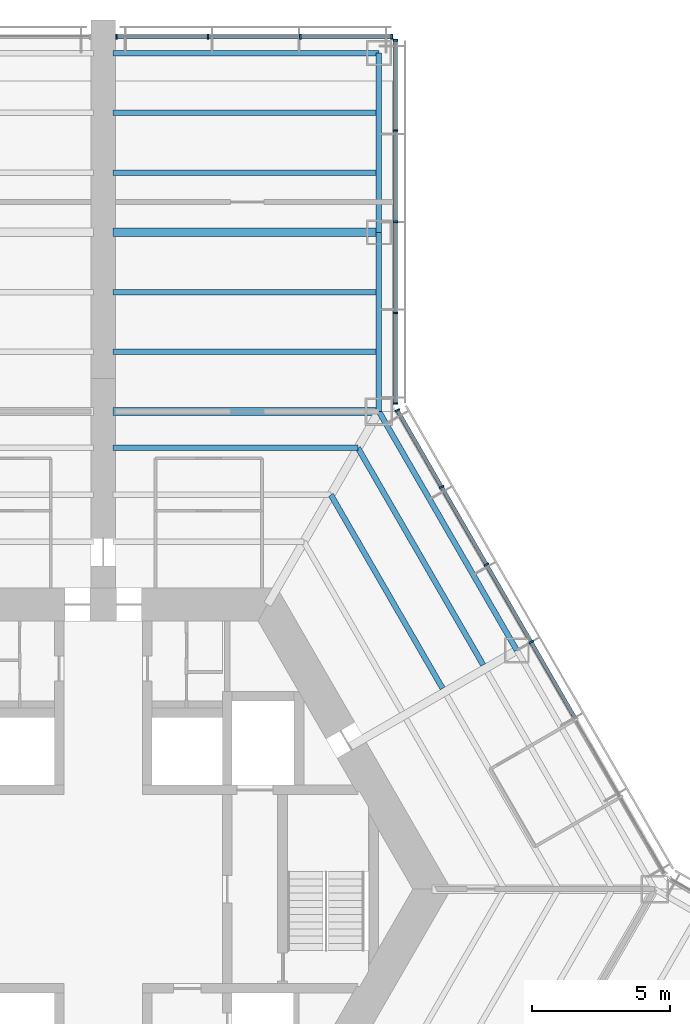
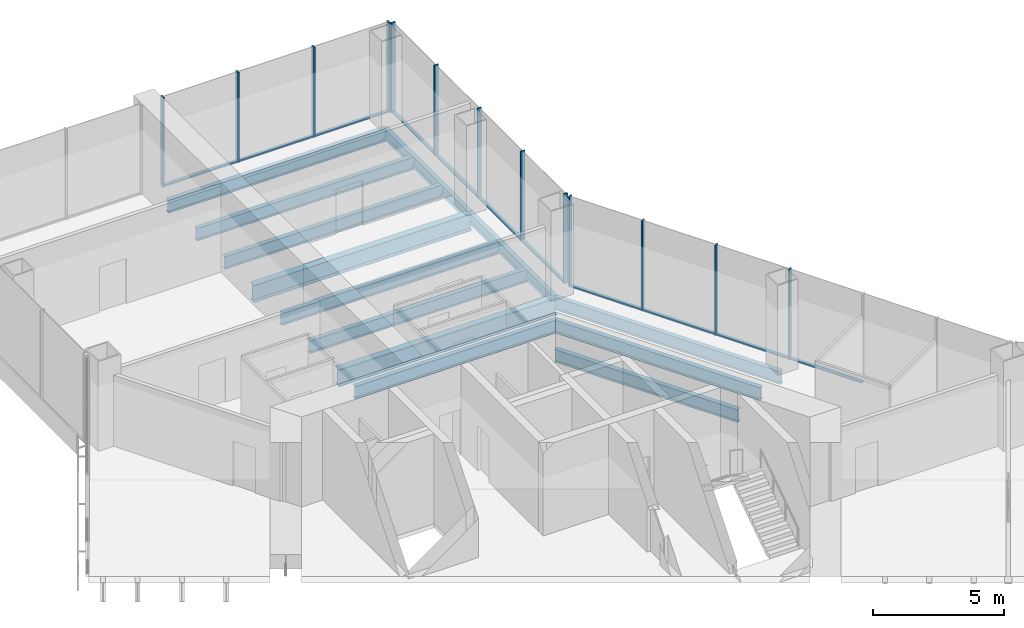
# One storey, part 7 of 16: 24 members, 13 beams, 3 elements without a shape of their own.
"""IFC4 building model written with IfcOpenShell, lengths in metres."""

import ifcopenshell
import ifcopenshell.guid

model = None  # the IFC model being written
_history = None  # IfcOwnerHistory: only IFC2X3 demands one
_inside = {}  # id of a spatial element -> (the spatial element, [elements in it])
_under = {}  # id of a project, library or spatial element -> (it, [spatial elements below it])
_declared = {}  # id of a project -> (the project, [libraries it declares])
_typed = {}  # id of a type object -> (the type object, [elements of that type])
_made_of = {}  # id of a material, layer set ... -> (it, [elements and type objects made of it])


def new_model(schema):
    """Start an empty IFC model of exactly this schema.

    Asked for "IFC4X3", IfcOpenShell would pick the latest addendum, in which some entities
    have other attributes; the version numbers below select the first issue.
    IFC2X3 requires an IfcOwnerHistory on every rooted entity: one is made here for all.
    """
    global model, _history
    if schema == "IFC4X3":
        model = ifcopenshell.file(schema_version=(4, 3, 0, 0))
    else:
        model = ifcopenshell.file(schema=schema)
    _inside.clear()
    _under.clear()
    _declared.clear()
    _typed.clear()
    _made_of.clear()
    _history = None
    if model.schema == "IFC2X3":
        org = make("IfcOrganization", Name="unknown")
        user = make(
            "IfcPersonAndOrganization",
            ThePerson=make("IfcPerson", FamilyName="unknown"),
            TheOrganization=org,
        )
        app = make(
            "IfcApplication",
            ApplicationDeveloper=org,
            Version="unknown",
            ApplicationFullName="unknown",
            ApplicationIdentifier="unknown",
        )
        _history = make(
            "IfcOwnerHistory",
            OwningUser=user,
            OwningApplication=app,
            ChangeAction="ADDED",
            CreationDate=0,
        )
    return model


def make(cls, **values):
    """One entity of the class cls with the attributes given. An attribute that is None is left unset."""
    return model.create_entity(
        cls, **{name: value for name, value in values.items() if value is not None}
    )


def rooted(cls, **values):
    """An entity with a GlobalId (a new one), such as an element, a storey or a relation."""
    return make(cls, GlobalId=ifcopenshell.guid.new(), OwnerHistory=_history, **values)


def si_unit(unit_type, name, prefix=None):
    """IfcSIUnit, for example si_unit("LENGTHUNIT", "METRE", prefix="MILLI")."""
    return make("IfcSIUnit", UnitType=unit_type, Prefix=prefix, Name=name)


def assignment(units):
    """IfcUnitAssignment: the units of a project."""
    return None if units is None else make("IfcUnitAssignment", Units=units)


def point(xyz):
    """IfcCartesianPoint."""
    return None if xyz is None else make("IfcCartesianPoint", Coordinates=xyz)


def direction(xyz):
    """IfcDirection."""
    return None if xyz is None else make("IfcDirection", DirectionRatios=xyz)


def frame(location, z_axis=None, x_axis=None):
    """IfcAxis2Placement3D, a coordinate frame: its origin and axes. An axis left out is left unset."""
    return make(
        "IfcAxis2Placement3D",
        Location=point(location),
        Axis=direction(z_axis),
        RefDirection=direction(x_axis),
    )


def frame_2d(location, x_axis=None):
    """IfcAxis2Placement2D, a coordinate frame in the plane: its origin and x axis."""
    return make(
        "IfcAxis2Placement2D", Location=point(location), RefDirection=direction(x_axis)
    )


def origin():
    """The frame at (0, 0, 0) with its axes left unset."""
    return frame((0.0, 0.0, 0.0))


def origin_2d():
    """The frame at (0, 0) in the plane with its x axis left unset."""
    return frame_2d((0.0, 0.0))


def place(relative_to, where):
    """IfcLocalPlacement: puts the frame where relative to a parent placement (None: the world)."""
    return make(
        "IfcLocalPlacement", PlacementRelTo=relative_to, RelativePlacement=where
    )


def context(
    kind, dimensions, precision=None, world=None, true_north=None, identifier=None
):
    """IfcGeometricRepresentationContext, for example the 3D "Model" context."""
    return make(
        "IfcGeometricRepresentationContext",
        ContextIdentifier=identifier,
        ContextType=kind,
        CoordinateSpaceDimension=dimensions,
        Precision=precision,
        WorldCoordinateSystem=world,
        TrueNorth=true_north,
    )


def subcontext(parent, identifier, kind, view, scale=None):
    """IfcGeometricRepresentationSubContext, for example "Body" below "Model"."""
    return make(
        "IfcGeometricRepresentationSubContext",
        ContextIdentifier=identifier,
        ContextType=kind,
        ParentContext=parent,
        TargetScale=scale,
        TargetView=view,
    )


def project(units=None, contexts=None):
    """IfcProject with its units and contexts."""
    return rooted(
        "IfcProject",
        Name="project",
        RepresentationContexts=contexts,
        UnitsInContext=assignment(units),
    )


def spatial(cls, under=None, at=None, **own):
    """A site, building, storey or space (cls), placed at a placement, below another one or the project."""
    s = rooted(cls, ObjectPlacement=at, **own)
    if under is not None:
        _under.setdefault(under.id(), (under, []))[1].append(s)
    return s


def profile(cls, at=None, kind="AREA", **sizes):
    """A parametric profile (cls). Its sizes go by their IFC names, for example OverallWidth=200.0."""
    return make(cls, ProfileType=kind, Position=at, **sizes)


def rectangle(**sizes):
    """IfcRectangleProfileDef."""
    return profile("IfcRectangleProfileDef", **sizes)


def i_section(**sizes):
    """IfcIShapeProfileDef."""
    return profile("IfcIShapeProfileDef", **sizes)


def extrude(swept, where, along, depth):
    """IfcExtrudedAreaSolid: the profile swept, set in the frame where, extruded along a direction by depth."""
    return make(
        "IfcExtrudedAreaSolid",
        SweptArea=swept,
        Position=where,
        ExtrudedDirection=direction(along),
        Depth=depth,
    )


def shape(context_of_items, identifier, shape_type, items):
    """IfcShapeRepresentation: the items that make up one representation, for example the "Body"."""
    return make(
        "IfcShapeRepresentation",
        ContextOfItems=context_of_items,
        RepresentationIdentifier=identifier,
        RepresentationType=shape_type,
        Items=items,
    )


def material(Name=None, Category=None):
    """IfcMaterial."""
    return make("IfcMaterial", Name=Name, Category=Category)


def material_profile(
    of_material, cross_section, Name=None, Category=None, Priority=None
):
    """IfcMaterialProfile: a cross section and its material."""
    return make(
        "IfcMaterialProfile",
        Name=Name,
        Material=of_material,
        Profile=cross_section,
        Priority=Priority,
        Category=Category,
    )


def profile_set(profiles, Name=None, composite=None):
    """IfcMaterialProfileSet."""
    return make(
        "IfcMaterialProfileSet",
        Name=Name,
        MaterialProfiles=profiles,
        CompositeProfile=composite,
    )


def made_of(thing, what):
    """Note that an element or type object is made of a material, layer set ...; save() writes the relation."""
    if what is not None:
        _made_of.setdefault(what.id(), (what, []))[1].append(thing)
    return thing


def type_object(cls, material=None, **own):
    """A type object (cls), such as IfcWallType, which elements share."""
    return made_of(rooted(cls, **own), material)


def element(
    cls,
    number,
    at=None,
    inside=None,
    cuts=None,
    type_object=None,
    material=None,
    context=None,
    identifier="Body",
    shape_type=None,
    held_by="IfcProductDefinitionShape",
    body=None,
    shapes=None,
    **own,
):
    """One element of the class cls, such as IfcWall. Its Tag is "e" and its number.

    at: its placement. inside: the storey or other place that contains it. cuts: it is an
    opening in that element (IfcRelVoidsElement). A single representation is given by context,
    identifier, shape_type and body (its items); several are given by shapes. held_by: the class
    of the entity that holds the representations. save() writes the other relations.
    """
    e = rooted(cls, Tag="e%d" % number, ObjectPlacement=at, **own)
    if body is not None:
        shapes = [shape(context, identifier, shape_type, body)]
    if shapes is not None:
        e.Representation = make(held_by, Representations=shapes)
    if inside is not None:
        _inside.setdefault(inside.id(), (inside, []))[1].append(e)
    if cuts is not None:
        rooted(
            "IfcRelVoidsElement", RelatingBuildingElement=cuts, RelatedOpeningElement=e
        )
    if type_object is not None:
        _typed.setdefault(type_object.id(), (type_object, []))[1].append(e)
    return made_of(e, material)


def aggregate(whole, parts):
    """IfcRelAggregates: a whole, such as a stair, and the parts it consists of."""
    return rooted("IfcRelAggregates", RelatingObject=whole, RelatedObjects=parts)


def save(model, path):
    """Write the relations noted so far, then the file.

    IfcRelAggregates (storeys below a building ...), IfcRelContainedInSpatialStructure (elements
    in a storey), IfcRelDefinesByType, IfcRelAssociatesMaterial and IfcRelDeclares: one each for
    every whole, place, type object, material and project.
    """
    for whole, parts in _under.values():
        aggregate(whole, parts)
    for where, things in _inside.values():
        rooted(
            "IfcRelContainedInSpatialStructure",
            RelatedElements=things,
            RelatingStructure=where,
        )
    for kind, things in _typed.values():
        rooted("IfcRelDefinesByType", RelatedObjects=things, RelatingType=kind)
    for what, things in _made_of.values():
        rooted("IfcRelAssociatesMaterial", RelatedObjects=things, RelatingMaterial=what)
    for by, libraries in _declared.values():
        rooted("IfcRelDeclares", RelatingContext=by, RelatedDefinitions=libraries)
    model.write(path)


model = new_model("IFC4")

# Units and contexts
model_context = context("Model", 3, precision=1e-05, world=origin(), true_north=direction((0.0, 1.0)))
body_context = subcontext(model_context, "Body", "Model", "MODEL_VIEW")
ifc_project = project(units=[si_unit("LENGTHUNIT", "METRE"), si_unit("AREAUNIT", "SQUARE_METRE"), si_unit("VOLUMEUNIT", "CUBIC_METRE"), si_unit("PLANEANGLEUNIT", "RADIAN"), si_unit("MASSUNIT", "GRAM", prefix="KILO")], contexts=[model_context])

# Site, building, storey
site_placement = place(None, origin())
site = spatial("IfcSite", under=ifc_project, at=site_placement, CompositionType="ELEMENT")
building_placement = place(site_placement, origin())
building = spatial("IfcBuilding", under=site, at=building_placement, Name="Kasaneha Research Tower", CompositionType="ELEMENT")
storey_placement = place(building_placement, frame((0.0, 0.0, 26.800048828125)))
storey = spatial("IfcBuildingStorey", under=building, at=storey_placement, Name="L07", CompositionType="ELEMENT", Elevation=26.800048828125)

# Beams
ifc_material_1 = material(Name="Steel SN490B", Category="steel")
ifc_material_profile_1 = material_profile(ifc_material_1, i_section(OverallWidth=0.199951171875, OverallDepth=0.60009765625, WebThickness=0.010986328125, FlangeThickness=0.01708984375, FilletRadius=0.012939453125, at=origin_2d()), Name="H-600x200x11x17")
ifc_profile_set_1 = profile_set([ifc_material_profile_1], Name="Steel SN490B")
beam_type_1 = type_object("IfcBeamType", Name="B1-1 secondary beam H-600x200x11x17", PredefinedType="JOIST", material=ifc_profile_set_1)
beam_1_placement = place(storey_placement, frame((8.256103515625, 14.300048828125, -0.5), z_axis=(0.499984030215, -0.866034623748, 0.0), x_axis=(0.866034623748, 0.499984030215, 0.0)))
element("IfcBeam", 1, at=beam_1_placement, inside=storey, type_object=beam_type_1, Name="Secondary beam RS030R2 L07", PredefinedType="JOIST", context=body_context, shape_type="SweptSolid", body=[
    extrude(i_section(OverallWidth=0.199951171875, OverallDepth=0.60009765625, WebThickness=0.010986328125, FlangeThickness=0.01708984375, FilletRadius=0.012939453125, at=origin_2d()), origin(), (0.0, 0.0, 1.0), 8.106201171875),
])
beam_2_placement = place(storey_placement, frame((9.237548828125, 16.0, -0.5), z_axis=(0.500010814234, -0.866019160093, 0.0), x_axis=(0.866019160093, 0.500010814234, 0.0)))
element("IfcBeam", 2, at=beam_2_placement, inside=storey, type_object=beam_type_1, Name="Secondary beam RS030R3 L07", PredefinedType="JOIST", context=body_context, shape_type="SweptSolid", body=[
    extrude(i_section(OverallWidth=0.199951171875, OverallDepth=0.60009765625, WebThickness=0.010986328125, FlangeThickness=0.01708984375, FilletRadius=0.012939453125, at=origin_2d()), origin(), (0.0, 0.0, 1.0), 9.087646484375),
])
beam_3_placement = place(storey_placement, frame((9.237548828125, 16.0, -0.5), z_axis=(-1.0, 0.0, 0.0), x_axis=(0.0, -1.0, 0.0)))
element("IfcBeam", 3, at=beam_3_placement, inside=storey, type_object=beam_type_1, Name="Secondary beam RS090L3 L07", PredefinedType="JOIST", context=body_context, shape_type="SweptSolid", body=[
    extrude(i_section(OverallWidth=0.199951171875, OverallDepth=0.60009765625, WebThickness=0.010986328125, FlangeThickness=0.01708984375, FilletRadius=0.012939453125, at=origin_2d()), origin(), (0.0, 0.0, 1.0), 8.887451171875),
])
ifc_material_2 = material(Name="Steel SN490B", Category="steel")
ifc_material_profile_2 = material_profile(ifc_material_2, i_section(OverallWidth=0.198974609375, OverallDepth=0.595947265625, WebThickness=0.010009765625, FlangeThickness=0.014892578125, FilletRadius=0.012939453125, at=origin_2d()), Name="H-596x199x10x15")
ifc_profile_set_2 = profile_set([ifc_material_profile_2], Name="Steel SN490B")
beam_type_2 = type_object("IfcBeamType", Name="B2-1 secondary beam H-596x199x10x15", PredefinedType="JOIST", material=ifc_profile_set_2)
for number, where, z_axis, x_axis, name in (
    (4, (10.0, 19.487060546875, -0.498046875), (-1.0, 0.0, 0.0), (0.0, -1.0, 0.0), "Secondary beam WBAP1 L07"),
    (5, (10.0, 21.65380859375, -0.498046875), (-1.0, 0.0, 0.0), (0.0, -1.0, 0.0), "Secondary beam WBAP2 L07"),
    (6, (10.0, 25.987060546875, -0.498046875), (-1.0, 0.0, 0.0), (0.0, -1.0, 0.0), "Secondary beam WBAP3 L07"),
    (7, (10.0, 28.15380859375, -0.498046875), (-1.0, 0.0, 0.0), (0.0, -1.0, 0.0), "Secondary beam WBAP4 L07"),
):
    element("IfcBeam", number, at=place(storey_placement, frame(where, z_axis=z_axis, x_axis=x_axis)), inside=storey, type_object=beam_type_2, Name=name, PredefinedType="JOIST", context=body_context, shape_type="SweptSolid", body=[
        extrude(i_section(OverallWidth=0.198974609375, OverallDepth=0.595947265625, WebThickness=0.010009765625, FlangeThickness=0.014892578125, FilletRadius=0.012939453125, at=origin_2d()), origin(), (0.0, 0.0, 1.0), 9.64990234375),
    ])

# Curtain wall, members
ifc_material_3 = material(Name="Glass and aluminium", Category="aluminium")
curtain_wall_type = type_object("IfcCurtainWallType", Name="Wet laboratory curtain wall", PredefinedType="USERDEFINED", material=ifc_material_3)
curtain_wall_1_placement = place(storey_placement, origin())
curtain_wall_1 = element("IfcCurtainWall", 8, at=curtain_wall_1_placement, inside=storey, type_object=curtain_wall_type, Name="CW-L1 L07 run 07a", ObjectType="UNITISED CURTAIN WALL", PredefinedType="USERDEFINED")
ifc_material_4 = material(Name="Aluminium 6063-T6", Category="aluminium")
ifc_material_profile_3 = material_profile(ifc_material_4, rectangle(XDim=0.06494140625, YDim=0.179931640625, at=origin_2d()), Name="CW-L1 mullion 65x180")
ifc_profile_set_3 = profile_set([ifc_material_profile_3], Name="Aluminium 6063-T6")
member_type_1 = type_object("IfcMemberType", Name="CW-L1 mullion", PredefinedType="MULLION", material=ifc_profile_set_3)
member_1_placement = place(storey_placement, frame((15.51953125, 8.960205078125, 0.0), z_axis=(0.0, 0.0, 1.0), x_axis=(-0.49999996188, 0.866025425793, 0.0)))
member_1 = element("IfcMember", 9, at=member_1_placement, type_object=member_type_1, Name="CW-L1 mullion 4", PredefinedType="MULLION", context=body_context, shape_type="SweptSolid", body=[
    extrude(rectangle(XDim=0.06494140625, YDim=0.179931640625, at=origin_2d()), origin(), (0.0, 0.0, 1.0), 4.199951171875),
])
member_2_placement = place(storey_placement, frame((13.896484375, 11.771728515625, 0.0), z_axis=(0.0, 0.0, 1.0), x_axis=(-0.49999996188, 0.866025425793, 0.0)))
member_2 = element("IfcMember", 10, at=member_2_placement, type_object=member_type_1, Name="CW-L1 mullion 5", PredefinedType="MULLION", context=body_context, shape_type="SweptSolid", body=[
    extrude(rectangle(XDim=0.06494140625, YDim=0.179931640625, at=origin_2d()), origin(), (0.0, 0.0, 1.0), 4.199951171875),
])
member_3_placement = place(storey_placement, frame((12.273193359375, 14.583251953125, 0.0), z_axis=(0.0, 0.0, 1.0), x_axis=(-0.49999996188, 0.866025425793, 0.0)))
member_3 = element("IfcMember", 11, at=member_3_placement, type_object=member_type_1, Name="CW-L1 mullion 6", PredefinedType="MULLION", context=body_context, shape_type="SweptSolid", body=[
    extrude(rectangle(XDim=0.06494140625, YDim=0.179931640625, at=origin_2d()), origin(), (0.0, 0.0, 1.0), 4.199951171875),
])
member_4_placement = place(storey_placement, frame((10.666259765625, 17.366455078125, 0.0), z_axis=(0.0, 0.0, 1.0), x_axis=(-0.49999996188, 0.866025425793, 0.0)))
member_4 = element("IfcMember", 12, at=member_4_placement, type_object=member_type_1, Name="CW-L1 mullion 7", PredefinedType="MULLION", context=body_context, shape_type="SweptSolid", body=[
    extrude(rectangle(XDim=0.06494140625, YDim=0.179931640625, at=origin_2d()), origin(), (0.0, 0.0, 1.0), 4.199951171875),
])

curtain_wall_2_placement = place(storey_placement, origin())
curtain_wall_2 = element("IfcCurtainWall", 13, at=curtain_wall_2_placement, inside=storey, type_object=curtain_wall_type, Name="CW-L1 L07 run 08a", ObjectType="UNITISED CURTAIN WALL", PredefinedType="USERDEFINED")
member_5_placement = place(storey_placement, frame((10.60009765625, 17.61376953125, 0.0), z_axis=(0.0, 0.0, 1.0), x_axis=(0.0, 1.0, 0.0)))
member_5 = element("IfcMember", 14, at=member_5_placement, type_object=member_type_1, Name="CW-L1 mullion 1", PredefinedType="MULLION", context=body_context, shape_type="SweptSolid", body=[
    extrude(rectangle(XDim=0.06494140625, YDim=0.179931640625, at=origin_2d()), origin(), (0.0, 0.0, 1.0), 4.199951171875),
])
member_6_placement = place(storey_placement, frame((10.60009765625, 20.89111328125, 0.0), z_axis=(0.0, 0.0, 1.0), x_axis=(0.0, 1.0, 0.0)))
member_6 = element("IfcMember", 15, at=member_6_placement, type_object=member_type_1, Name="CW-L1 mullion 2", PredefinedType="MULLION", context=body_context, shape_type="SweptSolid", body=[
    extrude(rectangle(XDim=0.06494140625, YDim=0.179931640625, at=origin_2d()), origin(), (0.0, 0.0, 1.0), 4.199951171875),
])
member_7_placement = place(storey_placement, frame((10.60009765625, 24.200927734375, 0.0), z_axis=(0.0, 0.0, 1.0), x_axis=(0.0, 1.0, 0.0)))
member_7 = element("IfcMember", 16, at=member_7_placement, type_object=member_type_1, Name="CW-L1 mullion 3", PredefinedType="MULLION", context=body_context, shape_type="SweptSolid", body=[
    extrude(rectangle(XDim=0.06494140625, YDim=0.179931640625, at=origin_2d()), origin(), (0.0, 0.0, 1.0), 4.199951171875),
])
member_8_placement = place(storey_placement, frame((10.60009765625, 27.5107421875, 0.0), z_axis=(0.0, 0.0, 1.0), x_axis=(0.0, 1.0, 0.0)))
member_8 = element("IfcMember", 17, at=member_8_placement, type_object=member_type_1, Name="CW-L1 mullion 4", PredefinedType="MULLION", context=body_context, shape_type="SweptSolid", body=[
    extrude(rectangle(XDim=0.06494140625, YDim=0.179931640625, at=origin_2d()), origin(), (0.0, 0.0, 1.0), 4.199951171875),
])
member_9_placement = place(storey_placement, frame((10.60009765625, 30.7880859375, 0.0), z_axis=(0.0, 0.0, 1.0), x_axis=(0.0, 1.0, 0.0)))
member_9 = element("IfcMember", 18, at=member_9_placement, type_object=member_type_1, Name="CW-L1 mullion 5", PredefinedType="MULLION", context=body_context, shape_type="SweptSolid", body=[
    extrude(rectangle(XDim=0.06494140625, YDim=0.179931640625, at=origin_2d()), origin(), (0.0, 0.0, 1.0), 4.199951171875),
])

curtain_wall_3_placement = place(storey_placement, origin())
curtain_wall_3 = element("IfcCurtainWall", 19, at=curtain_wall_3_placement, inside=storey, type_object=curtain_wall_type, Name="CW-L1 L07 run 09a", ObjectType="UNITISED CURTAIN WALL", PredefinedType="USERDEFINED")
member_10_placement = place(storey_placement, frame((10.467529296875, 30.92041015625, 0.0), z_axis=(0.0, 0.0, 1.0), x_axis=(-1.0, 0.0, 0.0)))
member_10 = element("IfcMember", 20, at=member_10_placement, type_object=member_type_1, Name="CW-L1 mullion 1", PredefinedType="MULLION", context=body_context, shape_type="SweptSolid", body=[
    extrude(rectangle(XDim=0.06494140625, YDim=0.179931640625, at=origin_2d()), origin(), (0.0, 0.0, 1.0), 4.199951171875),
])
member_11_placement = place(storey_placement, frame((7.14990234375, 30.92041015625, 0.0), z_axis=(0.0, 0.0, 1.0), x_axis=(-1.0, 0.0, 0.0)))
member_11 = element("IfcMember", 21, at=member_11_placement, type_object=member_type_1, Name="CW-L1 mullion 2", PredefinedType="MULLION", context=body_context, shape_type="SweptSolid", body=[
    extrude(rectangle(XDim=0.06494140625, YDim=0.179931640625, at=origin_2d()), origin(), (0.0, 0.0, 1.0), 4.199951171875),
])
member_12_placement = place(storey_placement, frame((3.800048828125, 30.92041015625, 0.0), z_axis=(0.0, 0.0, 1.0), x_axis=(-1.0, 0.0, 0.0)))
member_12 = element("IfcMember", 22, at=member_12_placement, type_object=member_type_1, Name="CW-L1 mullion 3", PredefinedType="MULLION", context=body_context, shape_type="SweptSolid", body=[
    extrude(rectangle(XDim=0.06494140625, YDim=0.179931640625, at=origin_2d()), origin(), (0.0, 0.0, 1.0), 4.199951171875),
])
member_13_placement = place(storey_placement, frame((0.482421875, 30.92041015625, 0.0), z_axis=(0.0, 0.0, 1.0), x_axis=(-1.0, 0.0, 0.0)))
member_13 = element("IfcMember", 23, at=member_13_placement, type_object=member_type_1, Name="CW-L1 mullion 4", PredefinedType="MULLION", context=body_context, shape_type="SweptSolid", body=[
    extrude(rectangle(XDim=0.06494140625, YDim=0.179931640625, at=origin_2d()), origin(), (0.0, 0.0, 1.0), 4.199951171875),
])

# Member
ifc_material_5 = material(Name="Aluminium 6063-T6", Category="aluminium")
ifc_material_profile_4 = material_profile(ifc_material_5, rectangle(XDim=0.139892578125, YDim=0.06494140625, at=origin_2d()), Name="CW-L1 transom 140x65")
ifc_profile_set_4 = profile_set([ifc_material_profile_4], Name="Aluminium 6063-T6")
member_type_2 = type_object("IfcMemberType", Name="CW-L1 transom", PredefinedType="USERDEFINED", material=ifc_profile_set_4)
member_14_placement = place(storey_placement, frame((17.12646484375, 6.177001953125, 0.032470703125), z_axis=(-0.499977104415, 0.866038622153, 0.0), x_axis=(-0.866038622153, -0.499977104415, 0.0)))
member_14 = element("IfcMember", 24, at=member_14_placement, type_object=member_type_2, Name="CW-L1 transom 3", ObjectType="TRANSOM", PredefinedType="USERDEFINED", context=body_context, shape_type="SweptSolid", body=[
    extrude(rectangle(XDim=0.139892578125, YDim=0.06494140625, at=origin_2d()), origin(), (0.0, 0.0, 1.0), 3.181396484375),
])

member_15_placement = place(storey_placement, frame((15.50341796875, 8.98828125, 0.032470703125), z_axis=(-0.500001430823, 0.866024577697, 0.0), x_axis=(-0.866024577697, -0.500001430823, 0.0)))
member_15 = element("IfcMember", 25, at=member_15_placement, type_object=member_type_2, Name="CW-L1 transom 4", ObjectType="TRANSOM", PredefinedType="USERDEFINED", context=body_context, shape_type="SweptSolid", body=[
    extrude(rectangle(XDim=0.139892578125, YDim=0.06494140625, at=origin_2d()), origin(), (0.0, 0.0, 1.0), 3.181640625),
])

member_16_placement = place(storey_placement, frame((13.880126953125, 11.7998046875, 0.032470703125), z_axis=(-0.499943876812, 0.866057804098, 0.0), x_axis=(-0.866057804098, -0.499943876812, 0.0)))
member_16 = element("IfcMember", 26, at=member_16_placement, type_object=member_type_2, Name="CW-L1 transom 5", ObjectType="TRANSOM", PredefinedType="USERDEFINED", context=body_context, shape_type="SweptSolid", body=[
    extrude(rectangle(XDim=0.139892578125, YDim=0.06494140625, at=origin_2d()), origin(), (0.0, 0.0, 1.0), 3.181396484375),
])

member_17_placement = place(storey_placement, frame((12.2568359375, 14.611328125, 0.032470703125), z_axis=(-0.499941702305, 0.866059059358, 0.0), x_axis=(-0.866059059358, -0.499941702305, 0.0)))
member_17 = element("IfcMember", 27, at=member_17_placement, type_object=member_type_2, Name="CW-L1 transom 6", ObjectType="TRANSOM", PredefinedType="USERDEFINED", context=body_context, shape_type="SweptSolid", body=[
    extrude(rectangle(XDim=0.139892578125, YDim=0.06494140625, at=origin_2d()), origin(), (0.0, 0.0, 1.0), 3.14892578125),
])

aggregate(curtain_wall_1, [member_1, member_2, member_3, member_4, member_14, member_15, member_16, member_17])

member_18_placement = place(storey_placement, frame((10.60009765625, 17.646240234375, 0.032470703125), z_axis=(0.0, 1.0, 0.0), x_axis=(-1.0, 0.0, 0.0)))
member_18 = element("IfcMember", 28, at=member_18_placement, type_object=member_type_2, Name="CW-L1 transom 1", ObjectType="TRANSOM", PredefinedType="USERDEFINED", context=body_context, shape_type="SweptSolid", body=[
    extrude(rectangle(XDim=0.139892578125, YDim=0.06494140625, at=origin_2d()), origin(), (0.0, 0.0, 1.0), 3.21240234375),
])

member_19_placement = place(storey_placement, frame((10.60009765625, 20.923583984375, 0.032470703125), z_axis=(0.0, 1.0, 0.0), x_axis=(-1.0, 0.0, 0.0)))
member_19 = element("IfcMember", 29, at=member_19_placement, type_object=member_type_2, Name="CW-L1 transom 2", ObjectType="TRANSOM", PredefinedType="USERDEFINED", context=body_context, shape_type="SweptSolid", body=[
    extrude(rectangle(XDim=0.139892578125, YDim=0.06494140625, at=origin_2d()), origin(), (0.0, 0.0, 1.0), 3.244873046875),
])

member_20_placement = place(storey_placement, frame((10.60009765625, 24.2333984375, 0.032470703125), z_axis=(0.0, 1.0, 0.0), x_axis=(-1.0, 0.0, 0.0)))
member_20 = element("IfcMember", 30, at=member_20_placement, type_object=member_type_2, Name="CW-L1 transom 3", ObjectType="TRANSOM", PredefinedType="USERDEFINED", context=body_context, shape_type="SweptSolid", body=[
    extrude(rectangle(XDim=0.139892578125, YDim=0.06494140625, at=origin_2d()), origin(), (0.0, 0.0, 1.0), 3.244873046875),
])

member_21_placement = place(storey_placement, frame((10.60009765625, 27.543212890625, 0.032470703125), z_axis=(0.0, 1.0, 0.0), x_axis=(-1.0, 0.0, 0.0)))
member_21 = element("IfcMember", 31, at=member_21_placement, type_object=member_type_2, Name="CW-L1 transom 4", ObjectType="TRANSOM", PredefinedType="USERDEFINED", context=body_context, shape_type="SweptSolid", body=[
    extrude(rectangle(XDim=0.139892578125, YDim=0.06494140625, at=origin_2d()), origin(), (0.0, 0.0, 1.0), 3.21240234375),
])

aggregate(curtain_wall_2, [member_5, member_6, member_7, member_8, member_9, member_18, member_19, member_20, member_21])

member_22_placement = place(storey_placement, frame((10.43505859375, 30.92041015625, 0.032470703125), z_axis=(-1.0, 0.0, 0.0), x_axis=(0.0, -1.0, 0.0)))
member_22 = element("IfcMember", 32, at=member_22_placement, type_object=member_type_2, Name="CW-L1 transom 1", ObjectType="TRANSOM", PredefinedType="USERDEFINED", context=body_context, shape_type="SweptSolid", body=[
    extrude(rectangle(XDim=0.139892578125, YDim=0.06494140625, at=origin_2d()), origin(), (0.0, 0.0, 1.0), 3.25244140625),
])

member_23_placement = place(storey_placement, frame((7.117431640625, 30.92041015625, 0.032470703125), z_axis=(-1.0, 0.0, 0.0), x_axis=(0.0, -1.0, 0.0)))
member_23 = element("IfcMember", 33, at=member_23_placement, type_object=member_type_2, Name="CW-L1 transom 2", ObjectType="TRANSOM", PredefinedType="USERDEFINED", context=body_context, shape_type="SweptSolid", body=[
    extrude(rectangle(XDim=0.139892578125, YDim=0.06494140625, at=origin_2d()), origin(), (0.0, 0.0, 1.0), 3.284912109375),
])

member_24_placement = place(storey_placement, frame((3.767578125, 30.92041015625, 0.032470703125), z_axis=(-1.0, 0.0, 0.0), x_axis=(0.0, -1.0, 0.0)))
member_24 = element("IfcMember", 34, at=member_24_placement, type_object=member_type_2, Name="CW-L1 transom 3", ObjectType="TRANSOM", PredefinedType="USERDEFINED", context=body_context, shape_type="SweptSolid", body=[
    extrude(rectangle(XDim=0.139892578125, YDim=0.06494140625, at=origin_2d()), origin(), (0.0, 0.0, 1.0), 3.252685546875),
])

aggregate(curtain_wall_3, [member_10, member_11, member_12, member_13, member_22, member_23, member_24])

# Beams
ifc_material_6 = material(Name="Steel SN490B", Category="steel")
ifc_material_profile_5 = material_profile(ifc_material_6, i_section(OverallWidth=0.300048828125, OverallDepth=0.7919921875, WebThickness=0.013916015625, FlangeThickness=0.02197265625, FilletRadius=0.01806640625, at=origin_2d()), Name="H-792x300x14x22")
ifc_profile_set_5 = profile_set([ifc_material_profile_5], Name="Steel SN490B")
beam_type_3 = type_object("IfcBeamType", Name="G3-1 plate edge girder H-792x300x14x22", PredefinedType="BEAM", material=ifc_profile_set_5)
beam_4_placement = place(storey_placement, frame((10.0, 17.320556640625, -0.595947265625), z_axis=(-1.0, 0.0, 0.0), x_axis=(0.0, -1.0, 0.0)))
element("IfcBeam", 35, at=beam_4_placement, inside=storey, type_object=beam_type_3, Name="Plate edge girder PEAP L07", PredefinedType="BEAM", context=body_context, shape_type="SweptSolid", body=[
    extrude(i_section(OverallWidth=0.300048828125, OverallDepth=0.7919921875, WebThickness=0.013916015625, FlangeThickness=0.02197265625, FilletRadius=0.01806640625, at=origin_2d()), origin(), (0.0, 0.0, 1.0), 9.64990234375),
])
ifc_material_7 = material(Name="Steel SN490B", Category="steel")
ifc_material_profile_6 = material_profile(ifc_material_7, i_section(OverallWidth=0.300048828125, OverallDepth=0.800048828125, WebThickness=0.013916015625, FlangeThickness=0.02587890625, FilletRadius=0.01806640625, at=origin_2d()), Name="H-800x300x14x26")
ifc_profile_set_6 = profile_set([ifc_material_profile_6], Name="Steel SN490B")
beam_type_4 = type_object("IfcBeamType", Name="G4-1 wing girder H-800x300x14x26", PredefinedType="BEAM", material=ifc_profile_set_6)
beam_5_placement = place(storey_placement, frame((10.0, 23.820556640625, -0.60009765625), z_axis=(-1.0, 0.0, 0.0), x_axis=(0.0, -1.0, 0.0)))
element("IfcBeam", 36, at=beam_5_placement, inside=storey, type_object=beam_type_4, Name="Wing girder WGAP L07", PredefinedType="BEAM", context=body_context, shape_type="SweptSolid", body=[
    extrude(i_section(OverallWidth=0.300048828125, OverallDepth=0.800048828125, WebThickness=0.013916015625, FlangeThickness=0.02587890625, FilletRadius=0.01806640625, at=origin_2d()), origin(), (0.0, 0.0, 1.0), 9.64990234375),
])
ifc_material_8 = material(Name="Steel SN490B", Category="steel")
ifc_material_profile_7 = material_profile(ifc_material_8, i_section(OverallWidth=0.199951171875, OverallDepth=0.60009765625, WebThickness=0.010986328125, FlangeThickness=0.01708984375, FilletRadius=0.012939453125, at=origin_2d()), Name="H-600x200x11x17")
ifc_profile_set_7 = profile_set([ifc_material_profile_7], Name="Steel SN490B")
beam_type_5 = type_object("IfcBeamType", Name="SB1-1 spandrel beam H-600x200x11x17", PredefinedType="SPANDREL", material=ifc_profile_set_7)
beam_6_placement = place(storey_placement, frame((10.0, 17.320556640625, -0.5), z_axis=(0.499993662806, -0.866029062534, 0.0), x_axis=(0.866029062534, 0.499993662806, 0.0)))
element("IfcBeam", 37, at=beam_6_placement, inside=storey, type_object=beam_type_5, Name="Spandrel beam SR030R L07", PredefinedType="SPANDREL", context=body_context, shape_type="SweptSolid", body=[
    extrude(i_section(OverallWidth=0.199951171875, OverallDepth=0.60009765625, WebThickness=0.010986328125, FlangeThickness=0.01708984375, FilletRadius=0.012939453125, at=origin_2d()), origin(), (0.0, 0.0, 1.0), 10.000244140625),
])
ifc_material_9 = material(Name="Steel SN490B", Category="steel")
ifc_material_profile_8 = material_profile(ifc_material_9, i_section(OverallWidth=0.199951171875, OverallDepth=0.5, WebThickness=0.010009765625, FlangeThickness=0.01611328125, FilletRadius=0.012939453125, at=origin_2d()), Name="H-500x200x10x16")
ifc_profile_set_8 = profile_set([ifc_material_profile_8], Name="Steel SN490B")
beam_type_6 = type_object("IfcBeamType", Name="SB2-1 spandrel beam H-500x200x10x16", PredefinedType="SPANDREL", material=ifc_profile_set_8)
for number, where, z_axis, x_axis, name in (
    (38, (10.0, 17.320556640625, -0.449951171875), (0.0, 1.0, 0.0), (-1.0, 0.0, 0.0), "Spandrel beam WSAP1 L07"),
    (39, (10.0, 23.820556640625, -0.449951171875), (0.0, 1.0, 0.0), (-1.0, 0.0, 0.0), "Spandrel beam WSAP2 L07"),
):
    element("IfcBeam", number, at=place(storey_placement, frame(where, z_axis=z_axis, x_axis=x_axis)), inside=storey, type_object=beam_type_6, Name=name, PredefinedType="SPANDREL", context=body_context, shape_type="SweptSolid", body=[
        extrude(i_section(OverallWidth=0.199951171875, OverallDepth=0.5, WebThickness=0.010009765625, FlangeThickness=0.01611328125, FilletRadius=0.012939453125, at=origin_2d()), origin(), (0.0, 0.0, 1.0), 6.5),
    ])
ifc_material_10 = material(Name="Steel SN490B", Category="steel")
ifc_material_profile_9 = material_profile(ifc_material_10, i_section(OverallWidth=0.199951171875, OverallDepth=0.60009765625, WebThickness=0.010986328125, FlangeThickness=0.01708984375, FilletRadius=0.012939453125, at=origin_2d()), Name="H-600x200x11x17")
ifc_profile_set_9 = profile_set([ifc_material_profile_9], Name="Steel SN490B")
beam_type_7 = type_object("IfcBeamType", Name="SB3-1 spandrel beam H-600x200x11x17", PredefinedType="SPANDREL", material=ifc_profile_set_9)
beam_7_placement = place(storey_placement, frame((10.0, 30.320556640625, -0.5), z_axis=(-1.0, 0.0, 0.0), x_axis=(0.0, -1.0, 0.0)))
element("IfcBeam", 40, at=beam_7_placement, inside=storey, type_object=beam_type_7, Name="Spandrel beam WTAP L07", PredefinedType="SPANDREL", context=body_context, shape_type="SweptSolid", body=[
    extrude(i_section(OverallWidth=0.199951171875, OverallDepth=0.60009765625, WebThickness=0.010986328125, FlangeThickness=0.01708984375, FilletRadius=0.012939453125, at=origin_2d()), origin(), (0.0, 0.0, 1.0), 9.64990234375),
])

save(model, "model.ifc")
